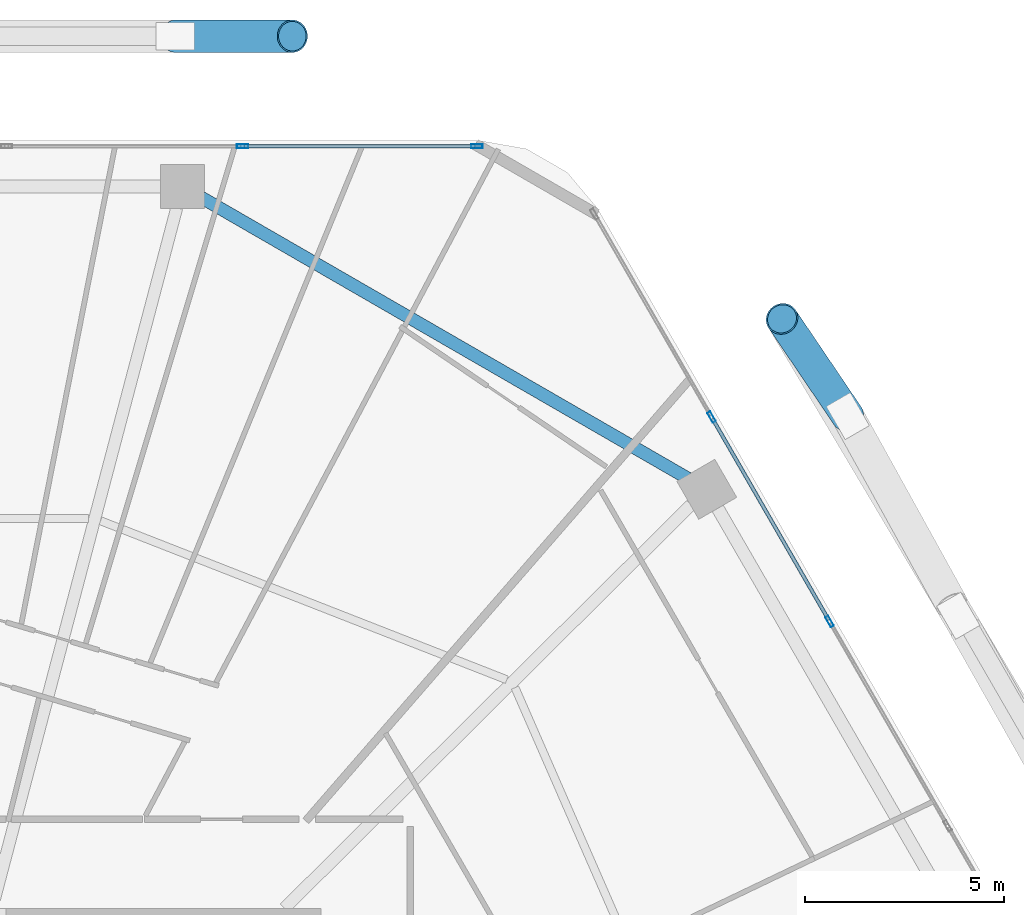
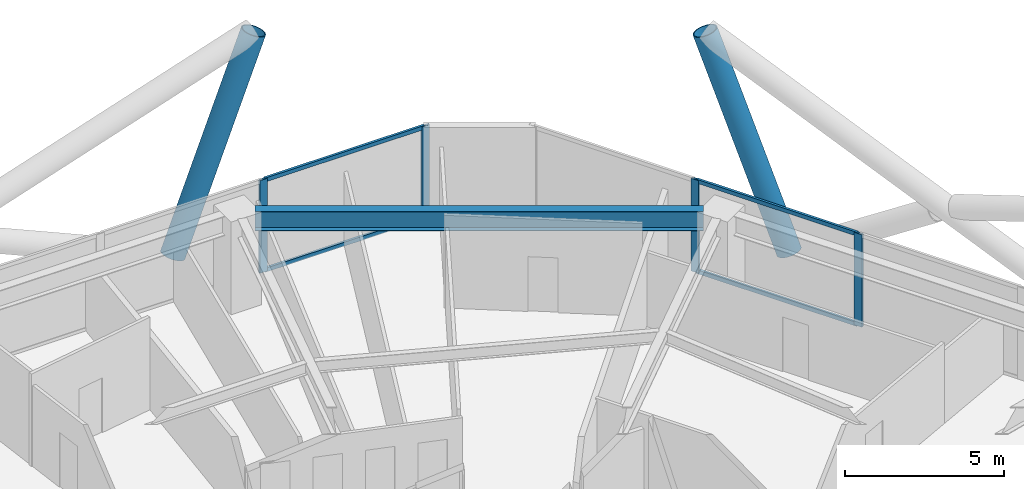
# One storey, part 23 of 34: 10 members, 1 beam, 2 elements without a shape of their own.
"""IFC4 building model written with IfcOpenShell, lengths in metres."""

from ifc_helpers import new_model, si_unit, direction, frame, origin, origin_2d, place, context, subcontext, project, spatial, hollow_rectangle, hollow_circle, i_section, extrude, material, material_profile, profile_set, type_object, element, aggregate, save


model = new_model("IFC4")

# Units and contexts
model_context = context("Model", 3, precision=1e-05, world=origin(), true_north=direction((0.0, 1.0)))
body_context = subcontext(model_context, "Body", "Model", "MODEL_VIEW")
ifc_project = project(units=[si_unit("LENGTHUNIT", "METRE"), si_unit("AREAUNIT", "SQUARE_METRE"), si_unit("VOLUMEUNIT", "CUBIC_METRE"), si_unit("PLANEANGLEUNIT", "RADIAN"), si_unit("MASSUNIT", "GRAM", prefix="KILO")], contexts=[model_context])

# Site, building, storey
site_placement = place(None, origin())
site = spatial("IfcSite", under=ifc_project, at=site_placement, CompositionType="ELEMENT")
building_placement = place(site_placement, origin())
building = spatial("IfcBuilding", under=site, at=building_placement, Name="Zuhravey Tower", CompositionType="ELEMENT")
storey_placement = place(building_placement, frame((0.0, 0.0, 130.39990234375)))
storey = spatial("IfcBuildingStorey", under=building, at=storey_placement, Name="L32", CompositionType="ELEMENT", Elevation=130.39990234375)

# Curtain wall, members
ifc_material_1 = material(Name="Thermally broken anodised aluminium", Category="aluminium")
curtain_wall_type = type_object("IfcCurtainWallType", Name="Zone 1-2 Residential Curtain Wall CW3", PredefinedType="NOTDEFINED", material=ifc_material_1)
curtain_wall_1_placement = place(storey_placement, origin())
curtain_wall_1 = element("IfcCurtainWall", 1, at=curtain_wall_1_placement, inside=storey, type_object=curtain_wall_type, Name="L32 CW3 CW-L32-F2-1", PredefinedType="NOTDEFINED")
ifc_material_2 = material(Name="Anodised aluminium", Category="aluminium")
ifc_material_profile_1 = material_profile(ifc_material_2, hollow_rectangle(XDim=0.090087890625, YDim=0.284912109375, WallThickness=0.0048828125, at=origin_2d()), Name="ALU-RHS-90x285x5")
ifc_profile_set_1 = profile_set([ifc_material_profile_1], Name="Anodised aluminium")
member_type_1 = type_object("IfcMemberType", Name="Curtain-Wall Mullion 90x180", PredefinedType="MULLION", material=ifc_profile_set_1)
member_1_placement = place(storey_placement, frame((44.879638671875, 60.95849609375, 0.0), z_axis=(0.0, 0.0, 1.0), x_axis=(0.0, 1.0, 0.0)))
member_1 = element("IfcMember", 2, at=member_1_placement, type_object=member_type_1, Name="CW3 mullion 5", PredefinedType="MULLION", context=body_context, shape_type="SweptSolid", body=[
    extrude(hollow_rectangle(XDim=0.090087890625, YDim=0.284912109375, WallThickness=0.0048828125, at=origin_2d()), origin(), (0.0, 0.0, 1.0), 3.550048828125),
])
member_2_placement = place(storey_placement, frame((50.75439453125, 60.95849609375, 0.0), z_axis=(0.0, 0.0, 1.0), x_axis=(0.0, 1.0, 0.0)))
member_2 = element("IfcMember", 3, at=member_2_placement, type_object=member_type_1, Name="CW3 mullion 6", PredefinedType="MULLION", context=body_context, shape_type="SweptSolid", body=[
    extrude(hollow_rectangle(XDim=0.090087890625, YDim=0.284912109375, WallThickness=0.0048828125, at=origin_2d()), origin(), (0.0, 0.0, 1.0), 3.550048828125),
])

curtain_wall_2_placement = place(storey_placement, origin())
curtain_wall_2 = element("IfcCurtainWall", 4, at=curtain_wall_2_placement, inside=storey, type_object=curtain_wall_type, Name="L32 CW3 CW-L32-F1-1", PredefinedType="NOTDEFINED")
member_3_placement = place(storey_placement, frame((56.638916015625, 54.169189453125, 0.0), z_axis=(0.0, 0.0, 1.0), x_axis=(0.86602552265, 0.499999794119, 0.0)))
member_3 = element("IfcMember", 5, at=member_3_placement, type_object=member_type_1, Name="CW3 mullion 2", PredefinedType="MULLION", context=body_context, shape_type="SweptSolid", body=[
    extrude(hollow_rectangle(XDim=0.090087890625, YDim=0.284912109375, WallThickness=0.0048828125, at=origin_2d()), origin(), (0.0, 0.0, 1.0), 3.550048828125),
])
member_4_placement = place(storey_placement, frame((59.598876953125, 49.04248046875, 0.0), z_axis=(0.0, 0.0, 1.0), x_axis=(0.86602552265, 0.499999794119, 0.0)))
member_4 = element("IfcMember", 6, at=member_4_placement, type_object=member_type_1, Name="CW3 mullion 3", PredefinedType="MULLION", context=body_context, shape_type="SweptSolid", body=[
    extrude(hollow_rectangle(XDim=0.090087890625, YDim=0.284912109375, WallThickness=0.0048828125, at=origin_2d()), origin(), (0.0, 0.0, 1.0), 3.550048828125),
])

# Member
ifc_material_profile_2 = material_profile(ifc_material_2, hollow_rectangle(XDim=0.090087890625, YDim=0.14990234375, WallThickness=0.0048828125, at=origin_2d()), Name="ALU-RHS-90x150x5")
ifc_profile_set_2 = profile_set([ifc_material_profile_2], Name="Anodised aluminium")
member_type_2 = type_object("IfcMemberType", Name="Curtain-Wall Transom 90x150", PredefinedType="USERDEFINED", material=ifc_profile_set_2)
member_5_placement = place(storey_placement, frame((44.9248046875, 60.95849609375, 0.045166015625), z_axis=(1.0, 0.0, 0.0), x_axis=(0.0, 1.0, 0.0)))
member_5 = element("IfcMember", 7, at=member_5_placement, type_object=member_type_2, Name="CW3 transom 5.1", ObjectType="TRANSOM", PredefinedType="USERDEFINED", context=body_context, shape_type="SweptSolid", body=[
    extrude(hollow_rectangle(XDim=0.090087890625, YDim=0.14990234375, WallThickness=0.0048828125, at=origin_2d()), origin(), (0.0, 0.0, 1.0), 5.78466796875),
])

member_6_placement = place(storey_placement, frame((44.9248046875, 60.95849609375, 3.505126953125), z_axis=(1.0, 0.0, 0.0), x_axis=(0.0, 1.0, 0.0)))
member_6 = element("IfcMember", 8, at=member_6_placement, type_object=member_type_2, Name="CW3 transom 5.2", ObjectType="TRANSOM", PredefinedType="USERDEFINED", context=body_context, shape_type="SweptSolid", body=[
    extrude(hollow_rectangle(XDim=0.090087890625, YDim=0.14990234375, WallThickness=0.0048828125, at=origin_2d()), origin(), (0.0, 0.0, 1.0), 5.78466796875),
])

aggregate(curtain_wall_1, [member_1, member_2, member_5, member_6])

member_7_placement = place(storey_placement, frame((56.661376953125, 54.13037109375, 0.045166015625), z_axis=(0.500012451049, -0.866018215049, 0.0), x_axis=(0.866018215049, 0.500012451049, 0.0)))
member_7 = element("IfcMember", 9, at=member_7_placement, type_object=member_type_2, Name="CW3 transom 2.1", ObjectType="TRANSOM", PredefinedType="USERDEFINED", context=body_context, shape_type="SweptSolid", body=[
    extrude(hollow_rectangle(XDim=0.090087890625, YDim=0.14990234375, WallThickness=0.0048828125, at=origin_2d()), origin(), (0.0, 0.0, 1.0), 5.829833984375),
])

member_8_placement = place(storey_placement, frame((56.661376953125, 54.13037109375, 3.505126953125), z_axis=(0.500012451049, -0.866018215049, 0.0), x_axis=(0.866018215049, 0.500012451049, 0.0)))
member_8 = element("IfcMember", 10, at=member_8_placement, type_object=member_type_2, Name="CW3 transom 2.2", ObjectType="TRANSOM", PredefinedType="USERDEFINED", context=body_context, shape_type="SweptSolid", body=[
    extrude(hollow_rectangle(XDim=0.090087890625, YDim=0.14990234375, WallThickness=0.0048828125, at=origin_2d()), origin(), (0.0, 0.0, 1.0), 5.829833984375),
])

aggregate(curtain_wall_2, [member_3, member_4, member_7, member_8])

# Members
ifc_material_3 = material(Name="Steel SM460", Category="steel")
ifc_material_profile_3 = material_profile(ifc_material_3, hollow_circle(Radius=0.406494140625, WallThickness=0.035888671875, at=origin_2d()), Name="CHS-812.8x36")
ifc_profile_set_3 = profile_set([ifc_material_profile_3], Name="Steel SM460")
member_type_3 = type_object("IfcMemberType", Name="Exoskeleton Zone 1 Diagrid CHS813x36", PredefinedType="BRACE", material=ifc_profile_set_3)
member_9_placement = place(storey_placement, frame((60.04931640625, 54.201416015625, -0.44189453125), z_axis=(-0.202834107885, 0.299733027557, 0.932211583746), x_axis=(-0.82818911071, -0.560448746008, 0.0)))
element("IfcMember", 11, at=member_9_placement, inside=storey, type_object=member_type_3, Name="L32 Face 1 Diagrid Brace 4", PredefinedType="BRACE", context=body_context, shape_type="SweptSolid", body=[
    extrude(hollow_circle(Radius=0.406494140625, WallThickness=0.035888671875, at=origin_2d()), origin(), (0.0, 0.0, 1.0), 8.10546875),
])
member_10_placement = place(storey_placement, frame((43.202392578125, 63.718505859375, -0.44189453125), z_axis=(0.361092156446, 0.0, 0.932530136003), x_axis=(0.0, 1.0, 0.0)))
element("IfcMember", 12, at=member_10_placement, inside=storey, type_object=member_type_3, Name="L32 Face 2 Diagrid Brace 1", PredefinedType="BRACE", context=body_context, shape_type="SweptSolid", body=[
    extrude(hollow_circle(Radius=0.406494140625, WallThickness=0.035888671875, at=origin_2d()), origin(), (0.0, 0.0, 1.0), 8.1025390625),
])

# Beam
ifc_material_4 = material(Name="Steel SM355", Category="steel")
ifc_material_profile_4 = material_profile(ifc_material_4, i_section(OverallWidth=0.320068359375, OverallDepth=0.75, WebThickness=0.013916015625, FlangeThickness=0.02490234375, at=origin_2d()), Name="H-750x320x14x25")
ifc_profile_set_4 = profile_set([ifc_material_profile_4], Name="Steel SM355")
beam_type = type_object("IfcBeamType", Name="Perimeter Ring Beam H750x320", PredefinedType="BEAM", material=ifc_profile_set_4)
beam_placement = place(storey_placement, frame((56.0400390625, 52.63330078125, 3.175048828125), z_axis=(-0.866017786538, 0.500013193225, 0.0), x_axis=(-0.500013193225, -0.866017786538, 0.0)))
element("IfcBeam", 13, at=beam_placement, inside=storey, type_object=beam_type, Name="L32 PB1 BM-L32-PB-02", PredefinedType="BEAM", context=body_context, shape_type="SweptSolid", body=[
    extrude(i_section(OverallWidth=0.320068359375, OverallDepth=0.75, WebThickness=0.013916015625, FlangeThickness=0.02490234375, at=origin_2d()), origin(), (0.0, 0.0, 1.0), 14.0771484375),
])

save(model, "model.ifc")
